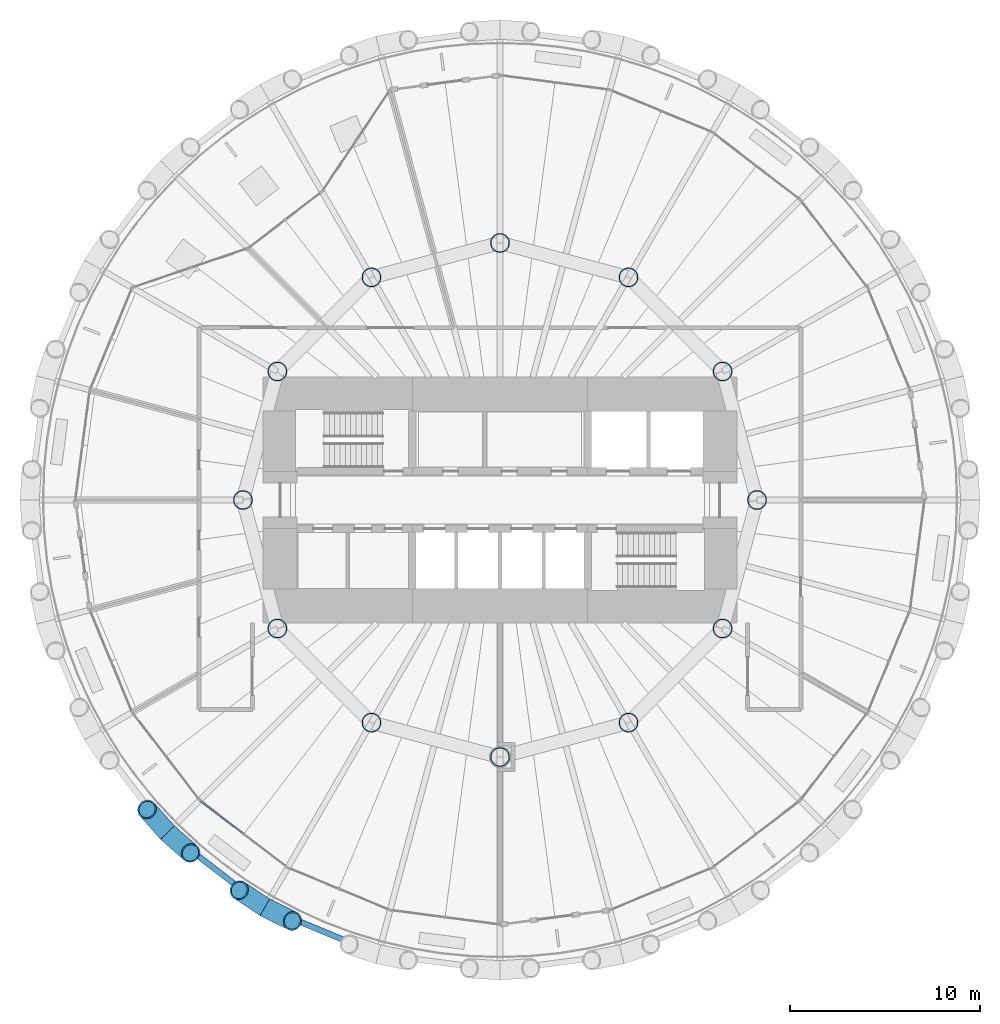
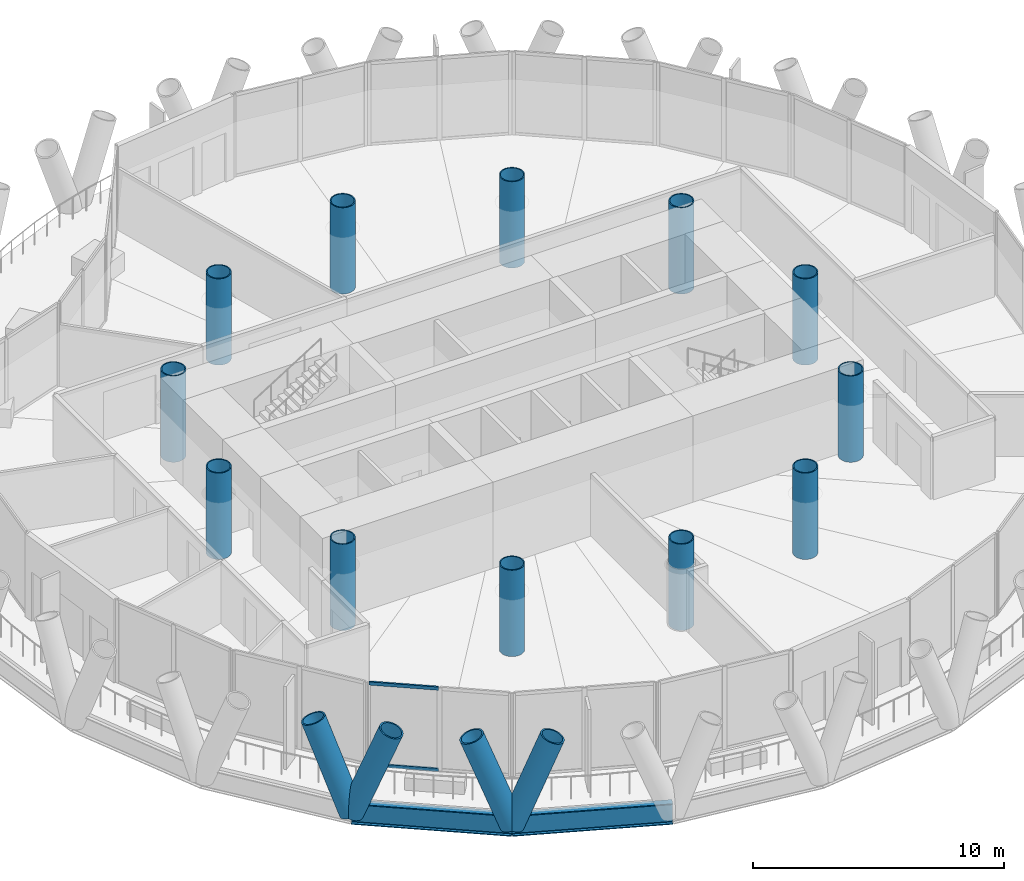
# One storey, part 1 of 14: 12 columns, 6 members, 2 beams, 1 element without a shape of its own.
"""IFC4 building model written with IfcOpenShell, lengths in metres."""

from ifc_helpers import new_model, si_unit, direction, frame, origin, origin_2d, place, context, subcontext, project, spatial, rectangle, hollow_circle, i_section, extrude, material, material_profile, profile_set, type_object, element, aggregate, save


model = new_model("IFC4")

# Units and contexts
model_context = context("Model", 3, precision=1e-05, world=origin(), true_north=direction((0.0, 1.0)))
body_context = subcontext(model_context, "Body", "Model", "MODEL_VIEW")
ifc_project = project(units=[si_unit("LENGTHUNIT", "METRE"), si_unit("AREAUNIT", "SQUARE_METRE"), si_unit("VOLUMEUNIT", "CUBIC_METRE"), si_unit("PLANEANGLEUNIT", "RADIAN"), si_unit("MASSUNIT", "GRAM", prefix="KILO")], contexts=[model_context])

# Site, building, storey
site_placement = place(None, origin())
site = spatial("IfcSite", under=ifc_project, at=site_placement, CompositionType="ELEMENT")
building_placement = place(site_placement, origin())
building = spatial("IfcBuilding", under=site, at=building_placement, Name="Qaws Media Tower", CompositionType="ELEMENT")
storey_placement = place(building_placement, frame((0.0, 0.0, 160.39990234375)))
storey = spatial("IfcBuildingStorey", under=building, at=storey_placement, Name="L36", CompositionType="ELEMENT", Elevation=160.39990234375)

# Columns
ifc_material_1 = material(Name="Steel S460", Category="steel")
ifc_material_profile_1 = material_profile(ifc_material_1, hollow_circle(Radius=0.508056640625, WallThickness=0.050048828125, at=origin_2d()), Name="CHS 1016x50")
ifc_profile_set_1 = profile_set([ifc_material_profile_1], Name="Steel S460")
column_type = type_object("IfcColumnType", Name="Inner column CHS 1016x50", PredefinedType="COLUMN", material=ifc_profile_set_1)
for number, where, z_axis, x_axis, name in (
    (1, (73.5, 50.0, 0.0), (0.0, 0.0, 1.0), (1.0, 0.0, 0.0), "C2 inner column I01 L36"),
    (2, (71.69140625, 56.75, 0.0), (0.0, 0.0, 1.0), (1.0, 0.0, 0.0), "C2 inner column I02 L36"),
    (3, (66.75, 61.69140625, 0.0), (0.0, 0.0, 1.0), (1.0, 0.0, 0.0), "C2 inner column I03 L36"),
    (4, (60.0, 63.5, 0.0), (0.0, 0.0, 1.0), (1.0, 0.0, 0.0), "C2 inner column I04 L36"),
    (5, (53.25, 61.69140625, 0.0), (0.0, 0.0, 1.0), (1.0, 0.0, 0.0), "C2 inner column I05 L36"),
    (6, (48.30859375, 56.75, 0.0), (0.0, 0.0, 1.0), (1.0, 0.0, 0.0), "C2 inner column I06 L36"),
    (7, (46.5, 50.0, 0.0), (0.0, 0.0, 1.0), (1.0, 0.0, 0.0), "C2 inner column I07 L36"),
    (8, (48.30859375, 43.25, 0.0), (0.0, 0.0, 1.0), (1.0, 0.0, 0.0), "C2 inner column I08 L36"),
    (9, (53.25, 38.30859375, 0.0), (0.0, 0.0, 1.0), (1.0, 0.0, 0.0), "C2 inner column I09 L36"),
    (10, (60.0, 36.5, 0.0), (0.0, 0.0, 1.0), (1.0, 0.0, 0.0), "C2 inner column I10 L36"),
    (11, (66.75, 38.30859375, 0.0), (0.0, 0.0, 1.0), (1.0, 0.0, 0.0), "C2 inner column I11 L36"),
    (12, (71.69140625, 43.25, 0.0), (0.0, 0.0, 1.0), (1.0, 0.0, 0.0), "C2 inner column I12 L36"),
):
    element("IfcColumn", number, at=place(storey_placement, frame(where, z_axis=z_axis, x_axis=x_axis)), inside=storey, type_object=column_type, Name=name, PredefinedType="COLUMN", context=body_context, shape_type="SweptSolid", body=[
        extrude(hollow_circle(Radius=0.508056640625, WallThickness=0.050048828125, at=origin_2d()), origin(), (0.0, 0.0, 1.0), 4.2001953125),
    ])

# Curtain wall, members
ifc_material_2 = material(Name="Aluminium and clear glass", Category="aluminium")
curtain_wall_type = type_object("IfcCurtainWallType", Name="Unitised curtain wall CW-B", PredefinedType="NOTDEFINED", material=ifc_material_2)
curtain_wall_placement = place(storey_placement, origin())
curtain_wall = element("IfcCurtainWall", 13, at=curtain_wall_placement, inside=storey, type_object=curtain_wall_type, Name="CWB curtain wall L36-16", PredefinedType="NOTDEFINED")
ifc_material_3 = material(Name="Aluminium transom", Category="aluminium")
ifc_material_profile_2 = material_profile(ifc_material_3, rectangle(XDim=0.080078125, YDim=0.159912109375, at=origin_2d()), Name="80x160")
ifc_profile_set_2 = profile_set([ifc_material_profile_2], Name="Aluminium transom")
member_type_1 = type_object("IfcMemberType", Name="Curtain wall transom 80x160", PredefinedType="USERDEFINED", material=ifc_profile_set_2)
member_1_placement = place(storey_placement, frame((44.294921875, 34.182861328125, 0.0400390625), z_axis=(0.793348627538, -0.608767570739, 0.0), x_axis=(0.608767570739, 0.793348627538, 0.0)))
member_1 = element("IfcMember", 14, at=member_1_placement, type_object=member_type_1, Name="CWB transom 1.1", ObjectType="TRANSOM", PredefinedType="USERDEFINED", context=body_context, shape_type="SweptSolid", body=[
    extrude(rectangle(XDim=0.080078125, YDim=0.159912109375, at=origin_2d()), origin(), (0.0, 0.0, 1.0), 2.790771484375),
])
member_2_placement = place(storey_placement, frame((44.294921875, 34.182861328125, 4.0), z_axis=(0.793348627538, -0.608767570739, 0.0), x_axis=(0.608767570739, 0.793348627538, 0.0)))
member_2 = element("IfcMember", 15, at=member_2_placement, type_object=member_type_1, Name="CWB transom 1.2", ObjectType="TRANSOM", PredefinedType="USERDEFINED", context=body_context, shape_type="SweptSolid", body=[
    extrude(rectangle(XDim=0.080078125, YDim=0.159912109375, at=origin_2d()), origin(), (0.0, 0.0, 1.0), 2.790771484375),
])
aggregate(curtain_wall, [member_1, member_2])

# Members
ifc_material_4 = material(Name="Steel S460", Category="steel")
ifc_material_profile_3 = material_profile(ifc_material_4, hollow_circle(Radius=0.508056640625, WallThickness=0.070068359375, at=origin_2d()), Name="CHS 1016x70")
ifc_profile_set_3 = profile_set([ifc_material_profile_3], Name="Steel S460")
member_type_2 = type_object("IfcMemberType", Name="Diagrid member CHS 1016x70", PredefinedType="USERDEFINED", material=ifc_profile_set_3)
for number, where, z_axis, x_axis, name in (
    (16, (42.534423828125, 32.534423828125, -0.663818359375), (0.269480939558, -0.237199651247, 0.933336139161), (0.660716466441, 0.750635564687, 0.0), "DG3 diagrid L36 A16"),
    (17, (42.534423828125, 32.534423828125, -0.663818359375), (-0.237199651247, 0.269480939558, 0.933336139161), (-0.750635564687, -0.660716466441, 0.0), "DG3 diagrid L36 B16"),
    (18, (47.64990234375, 28.609130859375, -0.663818359375), (0.321725242768, -0.159343513998, 0.933328727037), (0.443825411844, 0.896113276211, 0.0), "DG3 diagrid L36 A17"),
    (19, (47.64990234375, 28.609130859375, -0.663818359375), (-0.298832726202, 0.19895054593, 0.933336853459), (-0.554176960096, -0.832398880885, 0.0), "DG3 diagrid L36 B17"),
):
    element("IfcMember", number, at=place(storey_placement, frame(where, z_axis=z_axis, x_axis=x_axis)), inside=storey, type_object=member_type_2, Name=name, ObjectType="DIAGRID", PredefinedType="USERDEFINED", context=body_context, shape_type="SweptSolid", body=[
        extrude(hollow_circle(Radius=0.508056640625, WallThickness=0.070068359375, at=origin_2d()), origin(), (0.0, 0.0, 1.0), 4.5),
    ])

# Beams
ifc_material_5 = material(Name="Steel S460", Category="steel")
ifc_material_profile_4 = material_profile(ifc_material_5, i_section(OverallWidth=0.302001953125, OverallDepth=1.008056640625, WebThickness=0.02099609375, FlangeThickness=0.0400390625, FilletRadius=0.030029296875, at=origin_2d()), Name="HE 1000 M")
ifc_profile_set_4 = profile_set([ifc_material_profile_4], Name="Steel S460")
beam_type = type_object("IfcBeamType", Name="Edge ring beam HE 1000 M", PredefinedType="BEAM", material=ifc_profile_set_4)
for number, where, z_axis, x_axis, name in (
    (20, (42.534423828125, 32.534423828125, -0.663818359375), (0.793349726469, -0.608766138604, 0.0), (0.608766138604, 0.793349726469, 0.0), "RB3 edge ring beam L36-16"),
    (21, (47.64990234375, 28.609130859375, -0.663818359375), (0.923882546238, -0.382676156503, 0.0), (0.382676156503, 0.923882546238, 0.0), "RB3 edge ring beam L36-17"),
):
    element("IfcBeam", number, at=place(storey_placement, frame(where, z_axis=z_axis, x_axis=x_axis)), inside=storey, type_object=beam_type, Name=name, PredefinedType="BEAM", context=body_context, shape_type="SweptSolid", body=[
        extrude(i_section(OverallWidth=0.302001953125, OverallDepth=1.008056640625, WebThickness=0.02099609375, FlangeThickness=0.0400390625, FilletRadius=0.030029296875, at=origin_2d()), origin(), (0.0, 0.0, 1.0), 6.447998046875),
    ])

save(model, "model.ifc")
